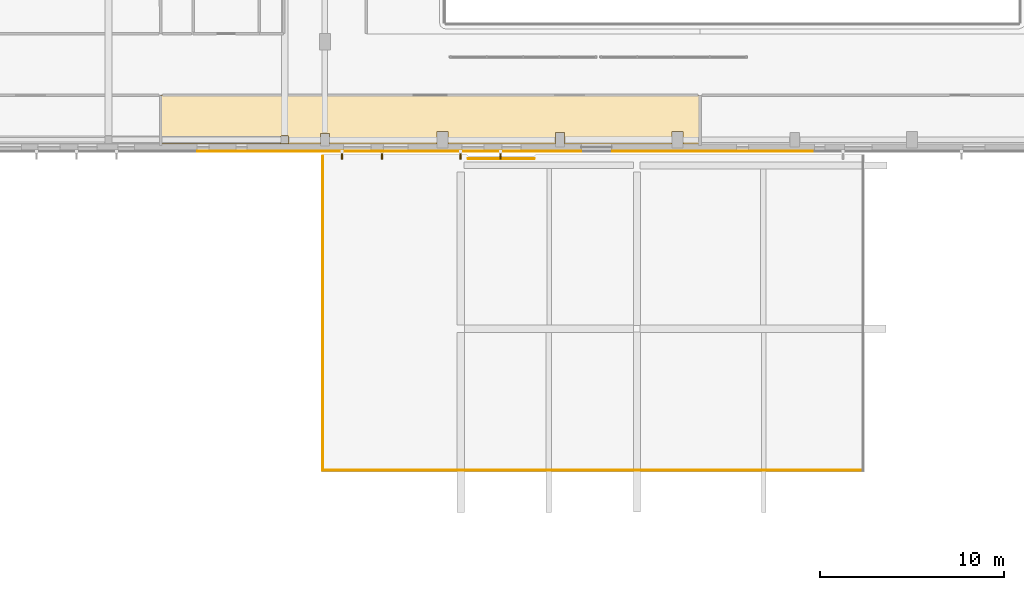
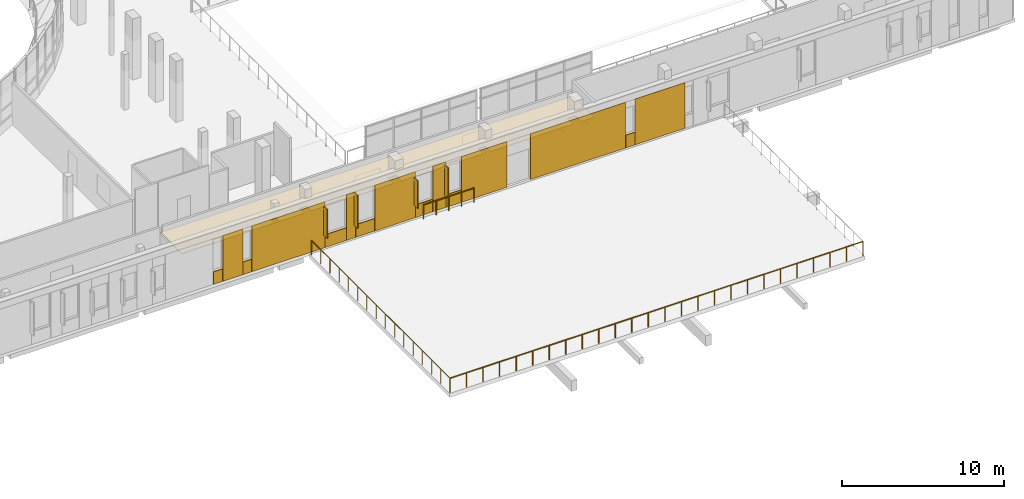
# One storey, part 60 of 73: 16 coverings, 4 shading devices, 3 railings.
"""IFC4 building model written with IfcOpenShell, lengths in metres."""

import ifcopenshell
import ifcopenshell.guid

model = None  # the IFC model being written
_history = None  # IfcOwnerHistory: only IFC2X3 demands one
_inside = {}  # id of a spatial element -> (the spatial element, [elements in it])
_under = {}  # id of a project, library or spatial element -> (it, [spatial elements below it])
_declared = {}  # id of a project -> (the project, [libraries it declares])
_typed = {}  # id of a type object -> (the type object, [elements of that type])
_made_of = {}  # id of a material, layer set ... -> (it, [elements and type objects made of it])


def new_model(schema):
    """Start an empty IFC model of exactly this schema.

    Asked for "IFC4X3", IfcOpenShell would pick the latest addendum, in which some entities
    have other attributes; the version numbers below select the first issue.
    IFC2X3 requires an IfcOwnerHistory on every rooted entity: one is made here for all.
    """
    global model, _history
    if schema == "IFC4X3":
        model = ifcopenshell.file(schema_version=(4, 3, 0, 0))
    else:
        model = ifcopenshell.file(schema=schema)
    _inside.clear()
    _under.clear()
    _declared.clear()
    _typed.clear()
    _made_of.clear()
    _history = None
    if model.schema == "IFC2X3":
        org = make("IfcOrganization", Name="unknown")
        user = make(
            "IfcPersonAndOrganization",
            ThePerson=make("IfcPerson", FamilyName="unknown"),
            TheOrganization=org,
        )
        app = make(
            "IfcApplication",
            ApplicationDeveloper=org,
            Version="unknown",
            ApplicationFullName="unknown",
            ApplicationIdentifier="unknown",
        )
        _history = make(
            "IfcOwnerHistory",
            OwningUser=user,
            OwningApplication=app,
            ChangeAction="ADDED",
            CreationDate=0,
        )
    return model


def make(cls, **values):
    """One entity of the class cls with the attributes given. An attribute that is None is left unset."""
    return model.create_entity(
        cls, **{name: value for name, value in values.items() if value is not None}
    )


def rooted(cls, **values):
    """An entity with a GlobalId (a new one), such as an element, a storey or a relation."""
    return make(cls, GlobalId=ifcopenshell.guid.new(), OwnerHistory=_history, **values)


def si_unit(unit_type, name, prefix=None):
    """IfcSIUnit, for example si_unit("LENGTHUNIT", "METRE", prefix="MILLI")."""
    return make("IfcSIUnit", UnitType=unit_type, Prefix=prefix, Name=name)


def assignment(units):
    """IfcUnitAssignment: the units of a project."""
    return None if units is None else make("IfcUnitAssignment", Units=units)


def point(xyz):
    """IfcCartesianPoint."""
    return None if xyz is None else make("IfcCartesianPoint", Coordinates=xyz)


def direction(xyz):
    """IfcDirection."""
    return None if xyz is None else make("IfcDirection", DirectionRatios=xyz)


def frame(location, z_axis=None, x_axis=None):
    """IfcAxis2Placement3D, a coordinate frame: its origin and axes. An axis left out is left unset."""
    return make(
        "IfcAxis2Placement3D",
        Location=point(location),
        Axis=direction(z_axis),
        RefDirection=direction(x_axis),
    )


def frame_2d(location, x_axis=None):
    """IfcAxis2Placement2D, a coordinate frame in the plane: its origin and x axis."""
    return make(
        "IfcAxis2Placement2D", Location=point(location), RefDirection=direction(x_axis)
    )


def origin():
    """The frame at (0, 0, 0) with its axes left unset."""
    return frame((0.0, 0.0, 0.0))


def origin_2d():
    """The frame at (0, 0) in the plane with its x axis left unset."""
    return frame_2d((0.0, 0.0))


def place(relative_to, where):
    """IfcLocalPlacement: puts the frame where relative to a parent placement (None: the world)."""
    return make(
        "IfcLocalPlacement", PlacementRelTo=relative_to, RelativePlacement=where
    )


def context(
    kind, dimensions, precision=None, world=None, true_north=None, identifier=None
):
    """IfcGeometricRepresentationContext, for example the 3D "Model" context."""
    return make(
        "IfcGeometricRepresentationContext",
        ContextIdentifier=identifier,
        ContextType=kind,
        CoordinateSpaceDimension=dimensions,
        Precision=precision,
        WorldCoordinateSystem=world,
        TrueNorth=true_north,
    )


def subcontext(parent, identifier, kind, view, scale=None):
    """IfcGeometricRepresentationSubContext, for example "Body" below "Model"."""
    return make(
        "IfcGeometricRepresentationSubContext",
        ContextIdentifier=identifier,
        ContextType=kind,
        ParentContext=parent,
        TargetScale=scale,
        TargetView=view,
    )


def project(units=None, contexts=None):
    """IfcProject with its units and contexts."""
    return rooted(
        "IfcProject",
        Name="project",
        RepresentationContexts=contexts,
        UnitsInContext=assignment(units),
    )


def spatial(cls, under=None, at=None, **own):
    """A site, building, storey or space (cls), placed at a placement, below another one or the project."""
    s = rooted(cls, ObjectPlacement=at, **own)
    if under is not None:
        _under.setdefault(under.id(), (under, []))[1].append(s)
    return s


def polyline(points):
    """IfcPolyline through the points."""
    return make("IfcPolyline", Points=[point(p) for p in points])


def profile(cls, at=None, kind="AREA", **sizes):
    """A parametric profile (cls). Its sizes go by their IFC names, for example OverallWidth=200.0."""
    return make(cls, ProfileType=kind, Position=at, **sizes)


def rectangle(**sizes):
    """IfcRectangleProfileDef."""
    return profile("IfcRectangleProfileDef", **sizes)


def circle(**sizes):
    """IfcCircleProfileDef."""
    return profile("IfcCircleProfileDef", **sizes)


def outline(outer, holes=None, kind="AREA"):
    """IfcArbitraryClosedProfileDef: a profile drawn as a closed curve; with holes, ...WithVoids."""
    if holes is None:
        return make("IfcArbitraryClosedProfileDef", ProfileType=kind, OuterCurve=outer)
    return make(
        "IfcArbitraryProfileDefWithVoids",
        ProfileType=kind,
        OuterCurve=outer,
        InnerCurves=holes,
    )


def extrude(swept, where, along, depth):
    """IfcExtrudedAreaSolid: the profile swept, set in the frame where, extruded along a direction by depth."""
    return make(
        "IfcExtrudedAreaSolid",
        SweptArea=swept,
        Position=where,
        ExtrudedDirection=direction(along),
        Depth=depth,
    )


def shape(context_of_items, identifier, shape_type, items):
    """IfcShapeRepresentation: the items that make up one representation, for example the "Body"."""
    return make(
        "IfcShapeRepresentation",
        ContextOfItems=context_of_items,
        RepresentationIdentifier=identifier,
        RepresentationType=shape_type,
        Items=items,
    )


def material(Name=None, Category=None):
    """IfcMaterial."""
    return make("IfcMaterial", Name=Name, Category=Category)


def layer(
    of_material, thickness, ventilated=None, Name=None, Category=None, Priority=None
):
    """IfcMaterialLayer: one layer of a wall or slab, of a material (None: an air gap)."""
    return make(
        "IfcMaterialLayer",
        Material=of_material,
        LayerThickness=thickness,
        IsVentilated=ventilated,
        Name=Name,
        Category=Category,
        Priority=Priority,
    )


def layer_set(layers, Name=None):
    """IfcMaterialLayerSet."""
    return make("IfcMaterialLayerSet", MaterialLayers=layers, LayerSetName=Name)


def made_of(thing, what):
    """Note that an element or type object is made of a material, layer set ...; save() writes the relation."""
    if what is not None:
        _made_of.setdefault(what.id(), (what, []))[1].append(thing)
    return thing


def type_object(cls, material=None, **own):
    """A type object (cls), such as IfcWallType, which elements share."""
    return made_of(rooted(cls, **own), material)


def element(
    cls,
    number,
    at=None,
    inside=None,
    cuts=None,
    type_object=None,
    material=None,
    context=None,
    identifier="Body",
    shape_type=None,
    held_by="IfcProductDefinitionShape",
    body=None,
    shapes=None,
    **own,
):
    """One element of the class cls, such as IfcWall. Its Tag is "e" and its number.

    at: its placement. inside: the storey or other place that contains it. cuts: it is an
    opening in that element (IfcRelVoidsElement). A single representation is given by context,
    identifier, shape_type and body (its items); several are given by shapes. held_by: the class
    of the entity that holds the representations. save() writes the other relations.
    """
    e = rooted(cls, Tag="e%d" % number, ObjectPlacement=at, **own)
    if body is not None:
        shapes = [shape(context, identifier, shape_type, body)]
    if shapes is not None:
        e.Representation = make(held_by, Representations=shapes)
    if inside is not None:
        _inside.setdefault(inside.id(), (inside, []))[1].append(e)
    if cuts is not None:
        rooted(
            "IfcRelVoidsElement", RelatingBuildingElement=cuts, RelatedOpeningElement=e
        )
    if type_object is not None:
        _typed.setdefault(type_object.id(), (type_object, []))[1].append(e)
    return made_of(e, material)


def aggregate(whole, parts):
    """IfcRelAggregates: a whole, such as a stair, and the parts it consists of."""
    return rooted("IfcRelAggregates", RelatingObject=whole, RelatedObjects=parts)


def save(model, path):
    """Write the relations noted so far, then the file.

    IfcRelAggregates (storeys below a building ...), IfcRelContainedInSpatialStructure (elements
    in a storey), IfcRelDefinesByType, IfcRelAssociatesMaterial and IfcRelDeclares: one each for
    every whole, place, type object, material and project.
    """
    for whole, parts in _under.values():
        aggregate(whole, parts)
    for where, things in _inside.values():
        rooted(
            "IfcRelContainedInSpatialStructure",
            RelatedElements=things,
            RelatingStructure=where,
        )
    for kind, things in _typed.values():
        rooted("IfcRelDefinesByType", RelatedObjects=things, RelatingType=kind)
    for what, things in _made_of.values():
        rooted("IfcRelAssociatesMaterial", RelatedObjects=things, RelatingMaterial=what)
    for by, libraries in _declared.values():
        rooted("IfcRelDeclares", RelatingContext=by, RelatedDefinitions=libraries)
    model.write(path)


model = new_model("IFC4")

# Units and contexts
model_context = context("Model", 3, precision=1e-05, world=origin(), true_north=direction((0.0, 1.0)))
body_context = subcontext(model_context, "Body", "Model", "MODEL_VIEW")
ifc_project = project(units=[si_unit("LENGTHUNIT", "METRE"), si_unit("AREAUNIT", "SQUARE_METRE"), si_unit("VOLUMEUNIT", "CUBIC_METRE"), si_unit("PLANEANGLEUNIT", "RADIAN"), si_unit("MASSUNIT", "GRAM", prefix="KILO")], contexts=[model_context])

# Site, building, storey
site_placement = place(None, origin())
site = spatial("IfcSite", under=ifc_project, at=site_placement, CompositionType="ELEMENT")
building_placement = place(site_placement, origin())
building = spatial("IfcBuilding", under=site, at=building_placement, Name="Mzevani Central Library", CompositionType="ELEMENT")
storey_placement = place(building_placement, frame((0.0, 0.0, 9.60009765625)))
storey = spatial("IfcBuildingStorey", under=building, at=storey_placement, Name="L02", CompositionType="ELEMENT", Elevation=9.60009765625)

# Shading devices
ifc_material_1 = material(Name="Anodized architectural bronze")
shading_device_type = type_object("IfcShadingDeviceType", Name="Anodized Bronze Vertical Sun-Breaker Fin", PredefinedType="USERDEFINED", material=ifc_material_1)
shading_device_1_placement = place(storey_placement, frame((123.7548828125, 42.27490234375, 0.94970703125), z_axis=(0.0, 0.0, 1.0), x_axis=(-1.0, 0.0, 0.0)))
element("IfcShadingDevice", 1, at=shading_device_1_placement, inside=storey, type_object=shading_device_type, Name="L02 V1 Solar Fin (89)", ObjectType="SOLAR FIN", PredefinedType="USERDEFINED", context=body_context, shape_type="SweptSolid", body=[
    extrude(rectangle(XDim=0.080078125, YDim=0.449951171875, at=origin_2d()), origin(), (0.0, 0.0, 1.0), 2.300048828125),
])
shading_device_2_placement = place(storey_placement, frame((121.580078125, 42.27490234375, 0.949951171875), z_axis=(0.0, 0.0, 1.0), x_axis=(-1.0, 0.0, 0.0)))
element("IfcShadingDevice", 2, at=shading_device_2_placement, inside=storey, type_object=shading_device_type, Name="L02 V1 Solar Fin (90)", ObjectType="SOLAR FIN", PredefinedType="USERDEFINED", context=body_context, shape_type="SweptSolid", body=[
    extrude(rectangle(XDim=0.080078125, YDim=0.449951171875, at=origin_2d()), origin(), (0.0, 0.0, 1.0), 2.10009765625),
])
shading_device_3_placement = place(storey_placement, frame((117.304931640625, 42.27490234375, 0.949951171875), z_axis=(0.0, 0.0, 1.0), x_axis=(-1.0, 0.0, 0.0)))
element("IfcShadingDevice", 3, at=shading_device_3_placement, inside=storey, type_object=shading_device_type, Name="L02 V1 Solar Fin (91)", ObjectType="SOLAR FIN", PredefinedType="USERDEFINED", context=body_context, shape_type="SweptSolid", body=[
    extrude(rectangle(XDim=0.080078125, YDim=0.449951171875, at=origin_2d()), origin(), (0.0, 0.0, 1.0), 2.5),
])
shading_device_4_placement = place(storey_placement, frame((115.1298828125, 42.27490234375, 0.94970703125), z_axis=(0.0, 0.0, 1.0), x_axis=(-1.0, 0.0, 0.0)))
element("IfcShadingDevice", 4, at=shading_device_4_placement, inside=storey, type_object=shading_device_type, Name="L02 V1 Solar Fin (92)", ObjectType="SOLAR FIN", PredefinedType="USERDEFINED", context=body_context, shape_type="SweptSolid", body=[
    extrude(rectangle(XDim=0.080078125, YDim=0.449951171875, at=origin_2d()), origin(), (0.0, 0.0, 1.0), 2.199951171875),
])

# Coverings
ifc_material_2 = material(Name="Limestone ashlar cladding", Category="masonry")
ifc_layer_1 = layer(ifc_material_2, 0.050048828125, Name="Limestone Ashlar Spandrel Cladding")
ifc_layer_set_1 = layer_set([ifc_layer_1], Name="Limestone ashlar cladding")
covering_type_1 = type_object("IfcCoveringType", Name="Limestone Ashlar Spandrel Cladding", PredefinedType="CLADDING", material=ifc_layer_set_1)
covering_1_placement = place(storey_placement, frame((139.0849609375, 42.47607421875, 0.0), z_axis=(0.0, 0.0, 1.0), x_axis=(-1.0, 0.0, 0.0)))
element("IfcCovering", 5, at=covering_1_placement, inside=storey, type_object=covering_type_1, Name="L02 Warm-White Facade Pier 15 (EW4-V1-L02-0011)", PredefinedType="CLADDING", context=body_context, shape_type="SweptSolid", body=[
    extrude(rectangle(XDim=3.56005859375, YDim=0.050048828125, at=origin_2d()), origin(), (0.0, 0.0, 1.0), 3.449951171875),
])
covering_2_placement = place(storey_placement, frame((136.9599609375, 42.47607421875, 0.0), z_axis=(0.0, 0.0, 1.0), x_axis=(-1.0, 0.0, 0.0)))
element("IfcCovering", 6, at=covering_2_placement, inside=storey, type_object=covering_type_1, Name="L02 Warm-White Sill Cladding 16 (EW4-V1-L02-0011)", PredefinedType="CLADDING", context=body_context, shape_type="SweptSolid", body=[
    extrude(rectangle(XDim=0.64990234375, YDim=0.050048828125, at=origin_2d()), origin(), (0.0, 0.0, 1.0), 0.949951171875),
])
covering_3_placement = place(storey_placement, frame((133.22998046875, 42.47607421875, 0.0), z_axis=(0.0, 0.0, 1.0), x_axis=(-1.0, 0.0, 0.0)))
element("IfcCovering", 7, at=covering_3_placement, inside=storey, type_object=covering_type_1, Name="L02 Warm-White Facade Pier 17 (EW4-V1-L02-0011)", PredefinedType="CLADDING", context=body_context, shape_type="SweptSolid", body=[
    extrude(rectangle(XDim=6.77001953125, YDim=0.050048828125, at=origin_2d()), origin(), (0.0, 0.0, 1.0), 3.449951171875),
])
covering_4_placement = place(storey_placement, frame((126.530029296875, 42.47607421875, 0.0), z_axis=(0.0, 0.0, 1.0), x_axis=(-1.0, 0.0, 0.0)))
element("IfcCovering", 8, at=covering_4_placement, inside=storey, type_object=covering_type_1, Name="L02 Warm-White Facade Pier 18 (EW4-V1-L02-0011)", PredefinedType="CLADDING", context=body_context, shape_type="SweptSolid", body=[
    extrude(rectangle(XDim=3.25, YDim=0.050048828125, at=origin_2d()), origin(), (0.0, 0.0, 1.0), 3.449951171875),
])
covering_5_placement = place(storey_placement, frame((124.360107421875, 42.47607421875, 0.0), z_axis=(0.0, 0.0, 1.0), x_axis=(-1.0, 0.0, 0.0)))
element("IfcCovering", 9, at=covering_5_placement, inside=storey, type_object=covering_type_1, Name="L02 Warm-White Sill Cladding 19 (EW4-V1-L02-0011)", PredefinedType="CLADDING", context=body_context, shape_type="SweptSolid", body=[
    extrude(rectangle(XDim=1.050048828125, YDim=0.050048828125, at=origin_2d()), origin(), (0.0, 0.0, 1.0), 0.949951171875),
])
covering_6_placement = place(storey_placement, frame((123.347412109375, 42.47607421875, 0.0), z_axis=(0.0, 0.0, 1.0), x_axis=(-1.0, 0.0, 0.0)))
element("IfcCovering", 10, at=covering_6_placement, inside=storey, type_object=covering_type_1, Name="L02 Warm-White Facade Pier 20 (EW4-V1-L02-0011)", PredefinedType="CLADDING", context=body_context, shape_type="SweptSolid", body=[
    extrude(rectangle(XDim=0.93505859375, YDim=0.050048828125, at=origin_2d()), origin(), (0.0, 0.0, 1.0), 3.449951171875),
])
covering_7_placement = place(storey_placement, frame((122.260009765625, 42.47607421875, 0.0), z_axis=(0.0, 0.0, 1.0), x_axis=(-1.0, 0.0, 0.0)))
element("IfcCovering", 11, at=covering_7_placement, inside=storey, type_object=covering_type_1, Name="L02 Warm-White Sill Cladding 21 (EW4-V1-L02-0011)", PredefinedType="CLADDING", context=body_context, shape_type="SweptSolid", body=[
    extrude(rectangle(XDim=1.199951171875, YDim=0.050048828125, at=origin_2d()), origin(), (0.0, 0.0, 1.0), 0.949951171875),
])
covering_8_placement = place(storey_placement, frame((120.197509765625, 42.47607421875, 0.0), z_axis=(0.0, 0.0, 1.0), x_axis=(-1.0, 0.0, 0.0)))
element("IfcCovering", 12, at=covering_8_placement, inside=storey, type_object=covering_type_1, Name="L02 Warm-White Facade Pier 22 (EW4-V1-L02-0011)", PredefinedType="CLADDING", context=body_context, shape_type="SweptSolid", body=[
    extrude(rectangle(XDim=2.885009765625, YDim=0.050048828125, at=origin_2d()), origin(), (0.0, 0.0, 1.0), 3.449951171875),
])
covering_9_placement = place(storey_placement, frame((118.06005859375, 42.47607421875, 0.0), z_axis=(0.0, 0.0, 1.0), x_axis=(-1.0, 0.0, 0.0)))
element("IfcCovering", 13, at=covering_9_placement, inside=storey, type_object=covering_type_1, Name="L02 Warm-White Sill Cladding 23 (EW4-V1-L02-0011)", PredefinedType="CLADDING", context=body_context, shape_type="SweptSolid", body=[
    extrude(rectangle(XDim=1.35009765625, YDim=0.050048828125, at=origin_2d()), origin(), (0.0, 0.0, 1.0), 0.949951171875),
])
covering_10_placement = place(storey_placement, frame((117.047607421875, 42.47607421875, 0.0), z_axis=(0.0, 0.0, 1.0), x_axis=(-1.0, 0.0, 0.0)))
element("IfcCovering", 14, at=covering_10_placement, inside=storey, type_object=covering_type_1, Name="L02 Warm-White Facade Pier 24 (EW4-V1-L02-0011)", PredefinedType="CLADDING", context=body_context, shape_type="SweptSolid", body=[
    extrude(rectangle(XDim=0.635009765625, YDim=0.050048828125, at=origin_2d()), origin(), (0.0, 0.0, 1.0), 3.449951171875),
])
covering_11_placement = place(storey_placement, frame((115.9599609375, 42.47607421875, 0.0), z_axis=(0.0, 0.0, 1.0), x_axis=(-1.0, 0.0, 0.0)))
element("IfcCovering", 15, at=covering_11_placement, inside=storey, type_object=covering_type_1, Name="L02 Warm-White Sill Cladding 25 (EW4-V1-L02-0011)", PredefinedType="CLADDING", context=body_context, shape_type="SweptSolid", body=[
    extrude(rectangle(XDim=1.5, YDim=0.050048828125, at=origin_2d()), origin(), (0.0, 0.0, 1.0), 0.949951171875),
])
covering_12_placement = place(storey_placement, frame((112.5849609375, 42.47607421875, 0.0), z_axis=(0.0, 0.0, 1.0), x_axis=(-1.0, 0.0, 0.0)))
element("IfcCovering", 16, at=covering_12_placement, inside=storey, type_object=covering_type_1, Name="L02 Warm-White Facade Pier 26 (EW4-V1-L02-0011)", PredefinedType="CLADDING", context=body_context, shape_type="SweptSolid", body=[
    extrude(rectangle(XDim=5.2099609375, YDim=0.050048828125, at=origin_2d()), origin(), (0.0, 0.0, 1.0), 3.449951171875),
])
covering_13_placement = place(storey_placement, frame((109.659912109375, 42.47607421875, 0.0), z_axis=(0.0, 0.0, 1.0), x_axis=(-1.0, 0.0, 0.0)))
element("IfcCovering", 17, at=covering_13_placement, inside=storey, type_object=covering_type_1, Name="L02 Warm-White Sill Cladding 27 (EW4-V1-L02-0011)", PredefinedType="CLADDING", context=body_context, shape_type="SweptSolid", body=[
    extrude(rectangle(XDim=0.60009765625, YDim=0.050048828125, at=origin_2d()), origin(), (0.0, 0.0, 1.0), 0.949951171875),
])
covering_14_placement = place(storey_placement, frame((108.62255859375, 42.47607421875, 0.0), z_axis=(0.0, 0.0, 1.0), x_axis=(-1.0, 0.0, 0.0)))
element("IfcCovering", 18, at=covering_14_placement, inside=storey, type_object=covering_type_1, Name="L02 Warm-White Facade Pier 28 (EW4-V1-L02-0011)", PredefinedType="CLADDING", context=body_context, shape_type="SweptSolid", body=[
    extrude(rectangle(XDim=1.43505859375, YDim=0.050048828125, at=origin_2d()), origin(), (0.0, 0.0, 1.0), 3.449951171875),
])
covering_15_placement = place(storey_placement, frame((107.56005859375, 42.47607421875, 0.0), z_axis=(0.0, 0.0, 1.0), x_axis=(-1.0, 0.0, 0.0)))
element("IfcCovering", 19, at=covering_15_placement, inside=storey, type_object=covering_type_1, Name="L02 Warm-White Sill Cladding 29 (EW4-V1-L02-0011)", PredefinedType="CLADDING", context=body_context, shape_type="SweptSolid", body=[
    extrude(rectangle(XDim=0.64990234375, YDim=0.050048828125, at=origin_2d()), origin(), (0.0, 0.0, 1.0), 0.949951171875),
])
ifc_material_3 = material(Name="Mineral wool acoustic ceiling")
ifc_layer_2 = layer(ifc_material_3, 0.0400390625, Name="Perforated Timber Acoustic Ceiling")
ifc_layer_set_2 = layer_set([ifc_layer_2], Name="Mineral wool acoustic ceiling")
covering_type_2 = type_object("IfcCoveringType", Name="Perforated Timber Acoustic Ceiling", PredefinedType="CEILING", material=ifc_layer_set_2)
covering_16_placement = place(storey_placement, frame((0.0, 0.0, 2.72998046875)))
element("IfcCovering", 20, at=covering_16_placement, inside=storey, type_object=covering_type_2, Name="L02 Gridshell Panorama Reading Gallery 2 Acoustic Ceiling", PredefinedType="CEILING", context=body_context, shape_type="SweptSolid", body=[
    extrude(outline(polyline([(134.64501953125, 45.52099609375), (134.635986328125, 42.8701171875), (133.699951171875, 42.8701171875), (133.699951171875, 43.550048828125), (133.10009765625, 43.550048828125), (133.10009765625, 42.8701171875), (127.25, 42.8701171875), (127.25, 43.5), (126.75, 43.5), (126.75, 42.8701171875), (120.89990234375, 42.8701171875), (120.89990234375, 43.550048828125), (120.300048828125, 43.550048828125), (120.300048828125, 42.8701171875), (114.449951171875, 42.8701171875), (114.449951171875, 43.449951171875), (113.949951171875, 43.449951171875), (113.949951171875, 42.8701171875), (105.239990234375, 42.87890625), (105.2490234375, 45.530029296875), (134.64501953125, 45.52099609375)]), holes=[polyline([(112.199951171875, 43.300048828125), (111.800048828125, 43.300048828125), (111.800048828125, 42.89990234375), (112.199951171875, 42.89990234375), (112.199951171875, 43.300048828125)])]), origin(), (0.0, 0.0, 1.0), 0.0400390625),
])

# Railings
railing_type = type_object("IfcRailingType", Name="Terrace and Court Balustrade 1100", PredefinedType="BALUSTRADE", material=ifc_material_1)
railing_1_placement = place(storey_placement, frame((122.0, 42.070068359375, 0.0)))
element("IfcRailing", 21, at=railing_1_placement, inside=storey, type_object=railing_type, Name="L02 East Pavilion Planted Roof Garden Perimeter Balustrade 1", PredefinedType="BALUSTRADE", context=body_context, shape_type="SweptSolid", body=[
    extrude(circle(Radius=0.02392578125, at=origin_2d()), frame((0.0, 0.0, 1.076171875), z_axis=(1.0, 0.0, 0.0), x_axis=(0.0, 1.0, 0.0)), (0.0, 0.0, 1.0), 3.60009765625),
    extrude(circle(Radius=0.02099609375, at=origin_2d()), origin(), (0.0, 0.0, 1.0), 1.052001953125),
    extrude(circle(Radius=0.02099609375, at=origin_2d()), frame((0.89990234375, 0.0, 0.0)), (0.0, 0.0, 1.0), 1.052001953125),
    extrude(circle(Radius=0.02099609375, at=origin_2d()), frame((1.800048828125, 0.0, 0.0)), (0.0, 0.0, 1.0), 1.052001953125),
    extrude(circle(Radius=0.02099609375, at=origin_2d()), frame((2.7001953125, 0.0, 0.0)), (0.0, 0.0, 1.0), 1.052001953125),
    extrude(circle(Radius=0.02099609375, at=origin_2d()), frame((3.60009765625, 0.0, 0.0)), (0.0, 0.0, 1.0), 1.052001953125),
])
railing_2_placement = place(storey_placement, frame((143.52001953125, 25.080078125, 0.0)))
element("IfcRailing", 22, at=railing_2_placement, inside=storey, type_object=railing_type, Name="L02 East Pavilion Planted Roof Garden Perimeter Balustrade 3", PredefinedType="BALUSTRADE", context=body_context, shape_type="SweptSolid", body=[
    extrude(circle(Radius=0.02392578125, at=origin_2d()), frame((0.0, 0.0, 1.076171875), z_axis=(-1.0, 0.0, 0.0), x_axis=(0.0, -1.0, 0.0)), (0.0, 0.0, 1.0), 29.43994140625),
    extrude(circle(Radius=0.02099609375, at=origin_2d()), origin(), (0.0, 0.0, 1.0), 1.052001953125),
    extrude(circle(Radius=0.02099609375, at=origin_2d()), frame((-1.177490234375, 0.0, 0.0)), (0.0, 0.0, 1.0), 1.052001953125),
    extrude(circle(Radius=0.02099609375, at=origin_2d()), frame((-2.355224609375, 0.0, 0.0)), (0.0, 0.0, 1.0), 1.052001953125),
    extrude(circle(Radius=0.02099609375, at=origin_2d()), frame((-3.53271484375, 0.0, 0.0)), (0.0, 0.0, 1.0), 1.052001953125),
    extrude(circle(Radius=0.02099609375, at=origin_2d()), frame((-4.71044921875, 0.0, 0.0)), (0.0, 0.0, 1.0), 1.052001953125),
    extrude(circle(Radius=0.02099609375, at=origin_2d()), frame((-5.887939453125, 0.0, 0.0)), (0.0, 0.0, 1.0), 1.052001953125),
    extrude(circle(Radius=0.02099609375, at=origin_2d()), frame((-7.065673828125, 0.0, 0.0)), (0.0, 0.0, 1.0), 1.052001953125),
    extrude(circle(Radius=0.02099609375, at=origin_2d()), frame((-8.2431640625, 0.0, 0.0)), (0.0, 0.0, 1.0), 1.052001953125),
    extrude(circle(Radius=0.02099609375, at=origin_2d()), frame((-9.4208984375, 0.0, 0.0)), (0.0, 0.0, 1.0), 1.052001953125),
    extrude(circle(Radius=0.02099609375, at=origin_2d()), frame((-10.598388671875, 0.0, 0.0)), (0.0, 0.0, 1.0), 1.052001953125),
    extrude(circle(Radius=0.02099609375, at=origin_2d()), frame((-11.77587890625, 0.0, 0.0)), (0.0, 0.0, 1.0), 1.052001953125),
    extrude(circle(Radius=0.02099609375, at=origin_2d()), frame((-12.95361328125, 0.0, 0.0)), (0.0, 0.0, 1.0), 1.052001953125),
    extrude(circle(Radius=0.02099609375, at=origin_2d()), frame((-14.131103515625, 0.0, 0.0)), (0.0, 0.0, 1.0), 1.052001953125),
    extrude(circle(Radius=0.02099609375, at=origin_2d()), frame((-15.308837890625, 0.0, 0.0)), (0.0, 0.0, 1.0), 1.052001953125),
    extrude(circle(Radius=0.02099609375, at=origin_2d()), frame((-16.486328125, 0.0, 0.0)), (0.0, 0.0, 1.0), 1.052001953125),
    extrude(circle(Radius=0.02099609375, at=origin_2d()), frame((-17.6640625, 0.0, 0.0)), (0.0, 0.0, 1.0), 1.052001953125),
    extrude(circle(Radius=0.02099609375, at=origin_2d()), frame((-18.841552734375, 0.0, 0.0)), (0.0, 0.0, 1.0), 1.052001953125),
    extrude(circle(Radius=0.02099609375, at=origin_2d()), frame((-20.01904296875, 0.0, 0.0)), (0.0, 0.0, 1.0), 1.052001953125),
    extrude(circle(Radius=0.02099609375, at=origin_2d()), frame((-21.19677734375, 0.0, 0.0)), (0.0, 0.0, 1.0), 1.052001953125),
    extrude(circle(Radius=0.02099609375, at=origin_2d()), frame((-22.374267578125, 0.0, 0.0)), (0.0, 0.0, 1.0), 1.052001953125),
    extrude(circle(Radius=0.02099609375, at=origin_2d()), frame((-23.552001953125, 0.0, 0.0)), (0.0, 0.0, 1.0), 1.052001953125),
    extrude(circle(Radius=0.02099609375, at=origin_2d()), frame((-24.7294921875, 0.0, 0.0)), (0.0, 0.0, 1.0), 1.052001953125),
    extrude(circle(Radius=0.02099609375, at=origin_2d()), frame((-25.9072265625, 0.0, 0.0)), (0.0, 0.0, 1.0), 1.052001953125),
    extrude(circle(Radius=0.02099609375, at=origin_2d()), frame((-27.084716796875, 0.0, 0.0)), (0.0, 0.0, 1.0), 1.052001953125),
    extrude(circle(Radius=0.02099609375, at=origin_2d()), frame((-28.262451171875, 0.0, 0.0)), (0.0, 0.0, 1.0), 1.052001953125),
    extrude(circle(Radius=0.02099609375, at=origin_2d()), frame((-29.43994140625, 0.0, 0.0)), (0.0, 0.0, 1.0), 1.052001953125),
])
railing_3_placement = place(storey_placement, frame((114.080078125, 25.080078125, 0.0)))
element("IfcRailing", 23, at=railing_3_placement, inside=storey, type_object=railing_type, Name="L02 East Pavilion Planted Roof Garden Perimeter Balustrade 4", PredefinedType="BALUSTRADE", context=body_context, shape_type="SweptSolid", body=[
    extrude(circle(Radius=0.02392578125, at=origin_2d()), frame((0.0, 0.0, 1.076171875), z_axis=(0.0, 1.0, 0.0), x_axis=(-1.0, 0.0, 0.0)), (0.0, 0.0, 1.0), 17.119873046875),
    extrude(circle(Radius=0.02099609375, at=origin_2d()), origin(), (0.0, 0.0, 1.0), 1.052001953125),
    extrude(circle(Radius=0.02099609375, at=origin_2d()), frame((0.0, 1.141357421875, 0.0)), (0.0, 0.0, 1.0), 1.052001953125),
    extrude(circle(Radius=0.02099609375, at=origin_2d()), frame((0.0, 2.28271484375, 0.0)), (0.0, 0.0, 1.0), 1.052001953125),
    extrude(circle(Radius=0.02099609375, at=origin_2d()), frame((0.0, 3.424072265625, 0.0)), (0.0, 0.0, 1.0), 1.052001953125),
    extrude(circle(Radius=0.02099609375, at=origin_2d()), frame((0.0, 4.565185546875, 0.0)), (0.0, 0.0, 1.0), 1.052001953125),
    extrude(circle(Radius=0.02099609375, at=origin_2d()), frame((0.0, 5.70654296875, 0.0)), (0.0, 0.0, 1.0), 1.052001953125),
    extrude(circle(Radius=0.02099609375, at=origin_2d()), frame((0.0, 6.847900390625, 0.0)), (0.0, 0.0, 1.0), 1.052001953125),
    extrude(circle(Radius=0.02099609375, at=origin_2d()), frame((0.0, 7.9892578125, 0.0)), (0.0, 0.0, 1.0), 1.052001953125),
    extrude(circle(Radius=0.02099609375, at=origin_2d()), frame((0.0, 9.130615234375, 0.0)), (0.0, 0.0, 1.0), 1.052001953125),
    extrude(circle(Radius=0.02099609375, at=origin_2d()), frame((0.0, 10.27197265625, 0.0)), (0.0, 0.0, 1.0), 1.052001953125),
    extrude(circle(Radius=0.02099609375, at=origin_2d()), frame((0.0, 11.413330078125, 0.0)), (0.0, 0.0, 1.0), 1.052001953125),
    extrude(circle(Radius=0.02099609375, at=origin_2d()), frame((0.0, 12.5546875, 0.0)), (0.0, 0.0, 1.0), 1.052001953125),
    extrude(circle(Radius=0.02099609375, at=origin_2d()), frame((0.0, 13.69580078125, 0.0)), (0.0, 0.0, 1.0), 1.052001953125),
    extrude(circle(Radius=0.02099609375, at=origin_2d()), frame((0.0, 14.837158203125, 0.0)), (0.0, 0.0, 1.0), 1.052001953125),
    extrude(circle(Radius=0.02099609375, at=origin_2d()), frame((0.0, 15.978515625, 0.0)), (0.0, 0.0, 1.0), 1.052001953125),
    extrude(circle(Radius=0.02099609375, at=origin_2d()), frame((0.0, 17.119873046875, 0.0)), (0.0, 0.0, 1.0), 1.052001953125),
])

save(model, "model.ifc")
